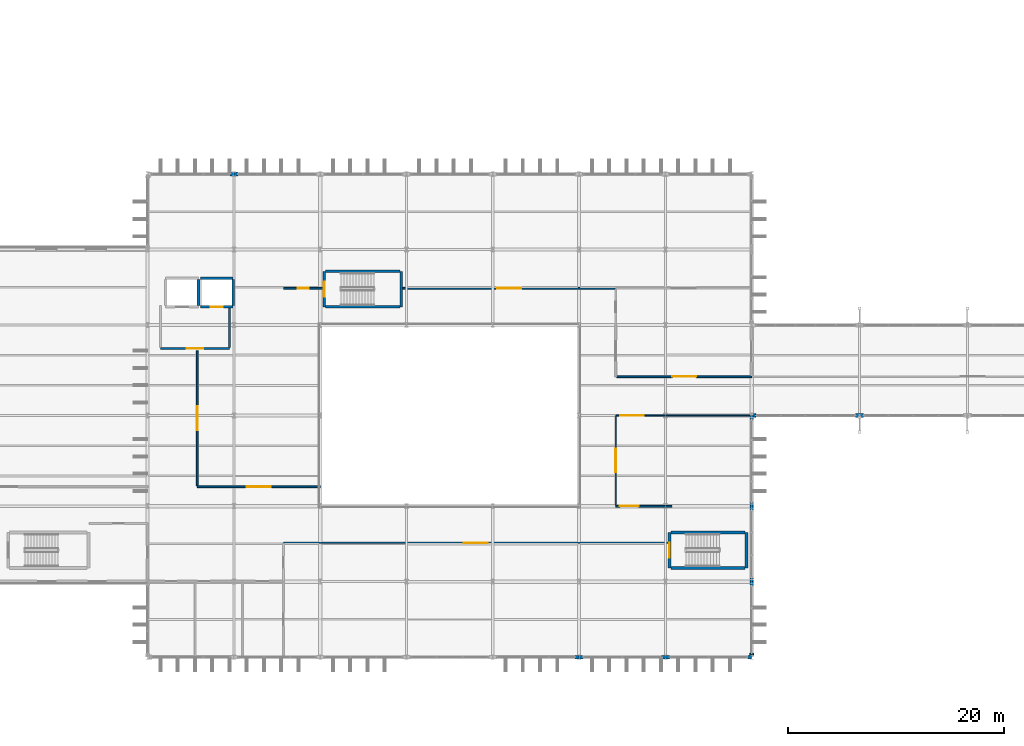
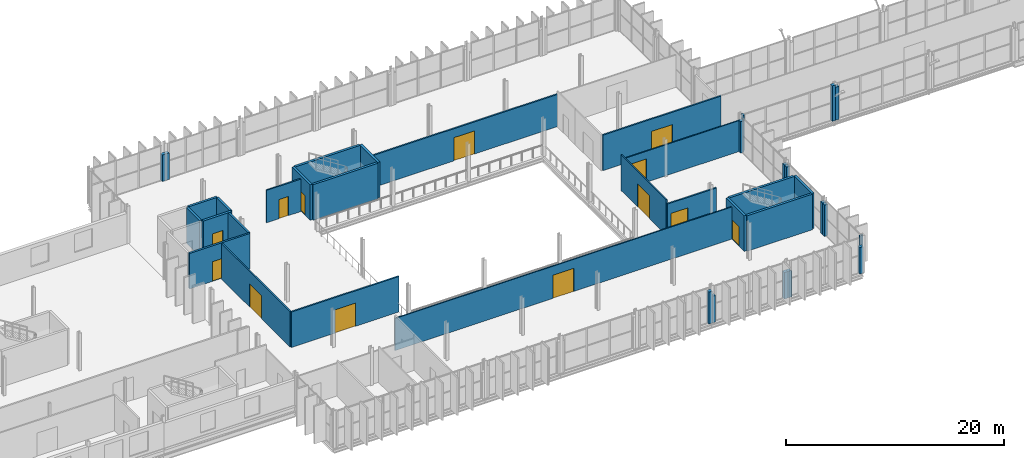
# One storey, part 82 of 101: 39 walls, 13 doors, 13 openings.
"""IFC4 building model written with IfcOpenShell, lengths in metres."""

from ifc_helpers import new_model, si_unit, direction, frame, frame_2d, origin, place, context, subcontext, project, spatial, rectangle, extrude, material, layer, layer_set, type_object, element, fill, save


model = new_model("IFC4")

# Units and contexts
model_context = context("Model", 3, precision=1e-05, world=origin(), true_north=direction((0.0, 1.0)))
body_context = subcontext(model_context, "Body", "Model", "MODEL_VIEW")
ifc_project = project(units=[si_unit("LENGTHUNIT", "METRE"), si_unit("AREAUNIT", "SQUARE_METRE"), si_unit("VOLUMEUNIT", "CUBIC_METRE"), si_unit("PLANEANGLEUNIT", "RADIAN"), si_unit("MASSUNIT", "GRAM", prefix="KILO")], contexts=[model_context])

# Site, building, storey
site_placement = place(None, origin())
site = spatial("IfcSite", under=ifc_project, at=site_placement, CompositionType="ELEMENT")
building_placement = place(site_placement, origin())
building = spatial("IfcBuilding", under=site, at=building_placement, Name="Vekula Escarpment Museum", CompositionType="ELEMENT")
storey_placement = place(building_placement, frame((0.0, 0.0, 18.0)))
storey = spatial("IfcBuildingStorey", under=building, at=storey_placement, Name="L04", CompositionType="ELEMENT", Elevation=18.0)

# Walls
ifc_material_1 = material(Name="Inkisi arkosic sandstone masonry", Category="masonry")
ifc_layer_1 = layer(ifc_material_1, 0.35009765625)
ifc_layer_set_1 = layer_set([ifc_layer_1], Name="Inkisi arkosic sandstone masonry")
wall_type_1 = type_object("IfcWallType", Name="WL-ALM-350", PredefinedType="SOLIDWALL", material=ifc_layer_set_1)
wall_1_placement = place(storey_placement, frame((109.639892578125, 45.60009765625, 0.0), z_axis=(0.0, 0.0, 1.0), x_axis=(1.0, 0.0, 0.0)))
element("IfcWall", 1, at=wall_1_placement, inside=storey, type_object=wall_type_1, Name="Facade Jamb Pier L04-0703B", PredefinedType="SOLIDWALL", context=body_context, shape_type="SweptSolid", body=[
    extrude(rectangle(XDim=0.360107421875, YDim=0.35009765625, at=frame_2d((0.18017578125, 0.0))), origin(), (0.0, 0.0, 1.0), 3.574951171875),
])
for number, where, z_axis, x_axis, name in (
    (2, (110.0, 45.60009765625, 0.0), (0.0, 0.0, 1.0), (1.0, 0.0, 0.0), "Facade Jamb Pier L04-0704A"),
    (3, (117.639892578125, 45.60009765625, 0.0), (0.0, 0.0, 1.0), (1.0, 0.0, 0.0), "Facade Jamb Pier L04-0705B"),
    (4, (118.0, 45.60009765625, 0.0), (0.0, 0.0, 1.0), (1.0, 0.0, 0.0), "Facade Jamb Pier L04-0706A"),
    (5, (125.639892578125, 45.60009765625, 0.0), (0.0, 0.0, 1.0), (1.0, 0.0, 0.0), "Facade Jamb Pier L04-0707B"),
):
    element("IfcWall", number, at=place(storey_placement, frame(where, z_axis=z_axis, x_axis=x_axis)), inside=storey, type_object=wall_type_1, Name=name, PredefinedType="SOLIDWALL", context=body_context, shape_type="SweptSolid", body=[
        extrude(rectangle(XDim=0.360107421875, YDim=0.35009765625, at=frame_2d((0.18017578125, 0.0))), origin(), (0.0, 0.0, 1.0), 2.965087890625),
    ])
wall_2_placement = place(storey_placement, frame((126.0, 45.779052734375, 0.0), z_axis=(0.0, 0.0, 1.0), x_axis=(0.0, 1.0, 0.0)))
element("IfcWall", 6, at=wall_2_placement, inside=storey, type_object=wall_type_1, Name="Facade Jamb Pier L04-0708A", PredefinedType="SOLIDWALL", context=body_context, shape_type="SweptSolid", body=[
    extrude(rectangle(XDim=0.180908203125, YDim=0.35009765625, at=frame_2d((0.09033203125, 0.0))), origin(), (0.0, 0.0, 1.0), 3.97998046875),
])
wall_3_placement = place(storey_placement, frame((126.0, 52.239990234375, 0.0), z_axis=(0.0, 0.0, 1.0), x_axis=(0.0, 1.0, 0.0)))
element("IfcWall", 7, at=wall_3_placement, inside=storey, type_object=wall_type_1, Name="Facade Jamb Pier L04-0709B", PredefinedType="SOLIDWALL", context=body_context, shape_type="SweptSolid", body=[
    extrude(rectangle(XDim=0.360107421875, YDim=0.35009765625, at=frame_2d((0.18017578125, 0.0))), origin(), (0.0, 0.0, 1.0), 3.52490234375),
])
wall_4_placement = place(storey_placement, frame((126.0, 52.60009765625, 0.0), z_axis=(0.0, 0.0, 1.0), x_axis=(0.0, 1.0, 0.0)))
element("IfcWall", 8, at=wall_4_placement, inside=storey, type_object=wall_type_1, Name="Facade Jamb Pier L04-0710A", PredefinedType="SOLIDWALL", context=body_context, shape_type="SweptSolid", body=[
    extrude(rectangle(XDim=0.35986328125, YDim=0.35009765625, at=frame_2d((0.179931640625, 0.0))), origin(), (0.0, 0.0, 1.0), 3.52490234375),
])
wall_5_placement = place(storey_placement, frame((126.0, 59.239990234375, 0.0), z_axis=(0.0, 0.0, 1.0), x_axis=(0.0, 1.0, 0.0)))
element("IfcWall", 9, at=wall_5_placement, inside=storey, type_object=wall_type_1, Name="Facade Jamb Pier L04-0711B", PredefinedType="SOLIDWALL", context=body_context, shape_type="SweptSolid", body=[
    extrude(rectangle(XDim=0.360107421875, YDim=0.35009765625, at=frame_2d((0.18017578125, 0.0))), origin(), (0.0, 0.0, 1.0), 3.52490234375),
])
wall_6_placement = place(storey_placement, frame((126.0, 59.60009765625, 0.0), z_axis=(0.0, 0.0, 1.0), x_axis=(0.0, 1.0, 0.0)))
element("IfcWall", 10, at=wall_6_placement, inside=storey, type_object=wall_type_1, Name="Facade Jamb Pier L04-0712A", PredefinedType="SOLIDWALL", context=body_context, shape_type="SweptSolid", body=[
    extrude(rectangle(XDim=0.35986328125, YDim=0.35009765625, at=frame_2d((0.179931640625, 0.0))), origin(), (0.0, 0.0, 1.0), 3.52490234375),
])
wall_7_placement = place(storey_placement, frame((126.0, 67.639892578125, 0.0), z_axis=(0.0, 0.0, 1.0), x_axis=(0.0, 1.0, 0.0)))
element("IfcWall", 11, at=wall_7_placement, inside=storey, type_object=wall_type_1, Name="Facade Jamb Pier L04-0713B", PredefinedType="SOLIDWALL", context=body_context, shape_type="SweptSolid", body=[
    extrude(rectangle(XDim=0.360107421875, YDim=0.35009765625, at=frame_2d((0.18017578125, 0.0))), origin(), (0.0, 0.0, 1.0), 3.52490234375),
])
wall_8_placement = place(storey_placement, frame((126.178955078125, 68.0, 0.0), z_axis=(0.0, 0.0, 1.0), x_axis=(1.0, 0.0, 0.0)))
element("IfcWall", 12, at=wall_8_placement, inside=storey, type_object=wall_type_1, Name="Facade Jamb Pier L04-0714A", PredefinedType="SOLIDWALL", context=body_context, shape_type="SweptSolid", body=[
    extrude(rectangle(XDim=0.18115234375, YDim=0.35009765625, at=frame_2d((0.090576171875, 0.0))), origin(), (0.0, 0.0, 1.0), 3.97998046875),
])
wall_9_placement = place(storey_placement, frame((135.639892578125, 68.0, 0.0), z_axis=(0.0, 0.0, 1.0), x_axis=(1.0, 0.0, 0.0)))
element("IfcWall", 13, at=wall_9_placement, inside=storey, type_object=wall_type_1, Name="Facade Jamb Pier L04-0715B", PredefinedType="SOLIDWALL", context=body_context, shape_type="SweptSolid", body=[
    extrude(rectangle(XDim=0.360107421875, YDim=0.35009765625, at=frame_2d((0.18017578125, 0.0))), origin(), (0.0, 0.0, 1.0), 3.97998046875),
])
wall_10_placement = place(storey_placement, frame((136.0, 68.0, 0.0), z_axis=(0.0, 0.0, 1.0), x_axis=(1.0, 0.0, 0.0)))
element("IfcWall", 14, at=wall_10_placement, inside=storey, type_object=wall_type_1, Name="Facade Jamb Pier L04-0716A", PredefinedType="SOLIDWALL", context=body_context, shape_type="SweptSolid", body=[
    extrude(rectangle(XDim=0.360107421875, YDim=0.35009765625, at=frame_2d((0.18017578125, 0.0))), origin(), (0.0, 0.0, 1.0), 3.705078125),
])
for number, where, z_axis, x_axis, name in (
    (15, (78.360107421875, 90.39990234375, 0.0), (0.0, 0.0, 1.0), (-1.0, 0.0, 0.0), "Facade Jamb Pier L04-0772B"),
    (16, (78.0, 90.39990234375, 0.0), (0.0, 0.0, 1.0), (-1.0, 0.0, 0.0), "Facade Jamb Pier L04-0773A"),
):
    element("IfcWall", number, at=place(storey_placement, frame(where, z_axis=z_axis, x_axis=x_axis)), inside=storey, type_object=wall_type_1, Name=name, PredefinedType="SOLIDWALL", context=body_context, shape_type="SweptSolid", body=[
        extrude(rectangle(XDim=0.360107421875, YDim=0.35009765625, at=frame_2d((0.18017578125, 0.0))), origin(), (0.0, 0.0, 1.0), 2.965087890625),
    ])

# Wall, opening, door
ifc_material_2 = material(Name="Concrete C35/45", Category="concrete")
ifc_layer_2 = layer(ifc_material_2, 0.25)
ifc_layer_set_2 = layer_set([ifc_layer_2], Name="Concrete C35/45")
wall_type_2 = type_object("IfcWallType", Name="WL-CORE-250", PredefinedType="SHEAR", material=ifc_layer_set_2)
wall_11_placement = place(storey_placement, frame((118.375, 53.875, 0.0), z_axis=(0.0, 0.0, 1.0), x_axis=(0.0, 1.0, 0.0)))
wall_11 = element("IfcWall", 17, at=wall_11_placement, inside=storey, type_object=wall_type_2, Name="Stair Core Wall ST-08 L04 W", PredefinedType="SHEAR", context=body_context, shape_type="SweptSolid", body=[
    extrude(rectangle(XDim=3.2900390625, YDim=0.25, at=frame_2d((1.64501953125, 0.0))), origin(), (0.0, 0.0, 1.0), 3.97998046875),
])
opening_1_placement = place(wall_11_placement, frame((0.945068359375, 0.0, 0.0)))
opening_1 = element("IfcOpeningElement", 18, at=opening_1_placement, cuts=wall_11, Name="Opening DR-FD60", PredefinedType="OPENING", context=body_context, shape_type="SweptSolid", body=[
    extrude(rectangle(XDim=1.39990234375, YDim=2.199951171875, at=frame_2d((0.699951171875, 1.10009765625))), frame((0.0, 0.135009765625, 0.0), z_axis=(0.0, -1.0, 0.0), x_axis=(1.0, 0.0, 0.0)), (0.0, 0.0, 1.0), 0.27001953125),
])
ifc_material_3 = material(Name="Fire-rated steel stair door", Category="steel")
door_type_1 = type_object("IfcDoorType", Name="DR-STAIR-1400x2200", OperationType="NOTDEFINED", PredefinedType="DOOR", material=ifc_material_3)
door_1_placement = place(opening_1_placement, origin())
door_1 = element("IfcDoor", 19, at=door_1_placement, inside=storey, type_object=door_type_1, Name="Protected Exit Stair Door ST-08 L04", OperationType="SINGLE_SWING_RIGHT", OverallHeight=2.199951171875, OverallWidth=1.39990234375, PredefinedType="DOOR", context=body_context, shape_type="SweptSolid", body=[
    extrude(rectangle(XDim=1.39990234375, YDim=2.199951171875, at=frame_2d((0.699951171875, 1.10009765625))), frame((0.0, 0.02490234375, 0.0), z_axis=(0.0, -1.0, 0.0), x_axis=(1.0, 0.0, 0.0)), (0.0, 0.0, 1.0), 0.050048828125),
])
fill(opening_1, door_1)

# Walls
wall_12_placement = place(storey_placement, frame((125.52490234375, 53.875, 0.0), z_axis=(0.0, 0.0, 1.0), x_axis=(0.0, 1.0, 0.0)))
element("IfcWall", 20, at=wall_12_placement, inside=storey, type_object=wall_type_2, Name="Stair Core Wall ST-08 L04 E", PredefinedType="SHEAR", context=body_context, shape_type="SweptSolid", body=[
    extrude(rectangle(XDim=3.2900390625, YDim=0.25, at=frame_2d((1.64501953125, 0.0))), origin(), (0.0, 0.0, 1.0), 3.97998046875),
])
for number, where, z_axis, x_axis, name in (
    (21, (118.50390625, 53.875, 0.0), (0.0, 0.0, 1.0), (1.0, 0.0, 0.0), "Stair Core Wall ST-08 L04 S"),
    (22, (118.50390625, 57.1650390625, 0.0), (0.0, 0.0, 1.0), (1.0, 0.0, 0.0), "Stair Core Wall ST-08 L04 N"),
):
    element("IfcWall", number, at=place(storey_placement, frame(where, z_axis=z_axis, x_axis=x_axis)), inside=storey, type_object=wall_type_2, Name=name, PredefinedType="SHEAR", context=body_context, shape_type="SweptSolid", body=[
        extrude(rectangle(XDim=6.89208984375, YDim=0.25, at=frame_2d((3.446044921875, 0.0))), origin(), (0.0, 0.0, 1.0), 3.97998046875),
    ])

# Wall, opening, door
wall_13_placement = place(storey_placement, frame((86.375, 78.074951171875, 0.0), z_axis=(0.0, 0.0, 1.0), x_axis=(0.0, 1.0, 0.0)))
wall_13 = element("IfcWall", 23, at=wall_13_placement, inside=storey, type_object=wall_type_2, Name="Stair Core Wall ST-09 L04 W", PredefinedType="SHEAR", context=body_context, shape_type="SweptSolid", body=[
    extrude(rectangle(XDim=3.2900390625, YDim=0.25, at=frame_2d((1.64501953125, 0.0))), origin(), (0.0, 0.0, 1.0), 3.97998046875),
])
opening_2_placement = place(wall_13_placement, frame((0.945068359375, 0.0, 0.0)))
opening_2 = element("IfcOpeningElement", 24, at=opening_2_placement, cuts=wall_13, Name="Opening DR-FD60", PredefinedType="OPENING", context=body_context, shape_type="SweptSolid", body=[
    extrude(rectangle(XDim=1.39990234375, YDim=2.199951171875, at=frame_2d((0.699951171875, 1.10009765625))), frame((0.0, 0.135009765625, 0.0), z_axis=(0.0, -1.0, 0.0), x_axis=(1.0, 0.0, 0.0)), (0.0, 0.0, 1.0), 0.27001953125),
])
door_2_placement = place(opening_2_placement, origin())
door_2 = element("IfcDoor", 25, at=door_2_placement, inside=storey, type_object=door_type_1, Name="Protected Exit Stair Door ST-09 L04", OperationType="SINGLE_SWING_LEFT", OverallHeight=2.199951171875, OverallWidth=1.39990234375, PredefinedType="DOOR", context=body_context, shape_type="SweptSolid", body=[
    extrude(rectangle(XDim=1.39990234375, YDim=2.199951171875, at=frame_2d((0.699951171875, 1.10009765625))), frame((0.0, 0.02490234375, 0.0), z_axis=(0.0, -1.0, 0.0), x_axis=(1.0, 0.0, 0.0)), (0.0, 0.0, 1.0), 0.050048828125),
])
fill(opening_2, door_2)

# Walls
wall_14_placement = place(storey_placement, frame((93.52490234375, 78.074951171875, 0.0), z_axis=(0.0, 0.0, 1.0), x_axis=(0.0, 1.0, 0.0)))
element("IfcWall", 26, at=wall_14_placement, inside=storey, type_object=wall_type_2, Name="Stair Core Wall ST-09 L04 E", PredefinedType="SHEAR", context=body_context, shape_type="SweptSolid", body=[
    extrude(rectangle(XDim=3.2900390625, YDim=0.25, at=frame_2d((1.64501953125, 0.0))), origin(), (0.0, 0.0, 1.0), 3.97998046875),
])
for number, where, z_axis, x_axis, name in (
    (27, (86.50390625, 78.074951171875, 0.0), (0.0, 0.0, 1.0), (1.0, 0.0, 0.0), "Stair Core Wall ST-09 L04 S"),
    (28, (86.50390625, 81.364990234375, 0.0), (0.0, 0.0, 1.0), (1.0, 0.0, 0.0), "Stair Core Wall ST-09 L04 N"),
):
    element("IfcWall", number, at=place(storey_placement, frame(where, z_axis=z_axis, x_axis=x_axis)), inside=storey, type_object=wall_type_2, Name=name, PredefinedType="SHEAR", context=body_context, shape_type="SweptSolid", body=[
        extrude(rectangle(XDim=6.89208984375, YDim=0.25, at=frame_2d((3.446044921875, 0.0))), origin(), (0.0, 0.0, 1.0), 3.97998046875),
    ])

# Wall, opening, door
ifc_material_4 = material(Name="Concrete C35/45", Category="concrete")
ifc_layer_3 = layer(ifc_material_4, 0.199951171875)
ifc_layer_set_3 = layer_set([ifc_layer_3], Name="Concrete C35/45")
wall_type_3 = type_object("IfcWallType", Name="WL-FFL-200", PredefinedType="PARTITIONING", material=ifc_layer_set_3)
wall_15_placement = place(storey_placement, frame((71.199951171875, 74.199951171875, 0.0), z_axis=(0.0, 0.0, 1.0), x_axis=(1.0, 0.0, 0.0)))
wall_15 = element("IfcWall", 29, at=wall_15_placement, inside=storey, type_object=wall_type_3, Name="Lift Lobby Wall LP-01 L04 S", PredefinedType="PARTITIONING", context=body_context, shape_type="SweptSolid", body=[
    extrude(rectangle(XDim=6.400146484375, YDim=0.199951171875, at=frame_2d((3.2001953125, 0.0))), origin(), (0.0, 0.0, 1.0), 3.97998046875),
])
opening_3_placement = place(wall_15_placement, frame((2.449951171875, 0.0, 0.0)))
opening_3 = element("IfcOpeningElement", 30, at=opening_3_placement, cuts=wall_15, Name="Opening DR-FD60L", PredefinedType="OPENING", context=body_context, shape_type="SweptSolid", body=[
    extrude(rectangle(XDim=1.5, YDim=2.199951171875, at=frame_2d((0.75, 1.10009765625))), frame((0.0, 0.10986328125, 0.0), z_axis=(0.0, -1.0, 0.0), x_axis=(1.0, 0.0, 0.0)), (0.0, 0.0, 1.0), 0.219970703125),
])
ifc_material_5 = material(Name="Fire-rated glazed lobby door", Category="steel")
door_type_2 = type_object("IfcDoorType", Name="DR-FFLOB-1500x2200", OperationType="NOTDEFINED", PredefinedType="DOOR", material=ifc_material_5)
door_3_placement = place(opening_3_placement, origin())
door_3 = element("IfcDoor", 31, at=door_3_placement, inside=storey, type_object=door_type_2, Name="Lift Lobby Fire Door LP-01 L04", OperationType="SINGLE_SWING_RIGHT", OverallHeight=2.199951171875, OverallWidth=1.5, PredefinedType="DOOR", context=body_context, shape_type="SweptSolid", body=[
    extrude(rectangle(XDim=1.5, YDim=2.199951171875, at=frame_2d((0.75, 1.10009765625))), frame((0.0, 0.02490234375, 0.0), z_axis=(0.0, -1.0, 0.0), x_axis=(1.0, 0.0, 0.0)), (0.0, 0.0, 1.0), 0.050048828125),
])
fill(opening_3, door_3)

# Wall
wall_16_placement = place(storey_placement, frame((77.60009765625, 74.303955078125, 0.0), z_axis=(0.0, 0.0, 1.0), x_axis=(0.0, 1.0, 0.0)))
element("IfcWall", 32, at=wall_16_placement, inside=storey, type_object=wall_type_3, Name="Lift Lobby Wall LP-01 L04 E", PredefinedType="PARTITIONING", context=body_context, shape_type="SweptSolid", body=[
    extrude(rectangle(XDim=3.652099609375, YDim=0.199951171875, at=frame_2d((1.826171875, 0.0))), origin(), (0.0, 0.0, 1.0), 3.97998046875),
])

# Wall, opening, door
ifc_material_6 = material(Name="Lightweight studio partition", Category="gypsum")
ifc_layer_4 = layer(ifc_material_6, 0.1201171875)
ifc_layer_set_4 = layer_set([ifc_layer_4], Name="Lightweight studio partition")
wall_type_4 = type_object("IfcWallType", Name="WL-PART-120", PredefinedType="PARTITIONING", material=ifc_layer_set_4)
wall_17_placement = place(storey_placement, frame((82.60009765625, 56.199951171875, 0.0), z_axis=(0.0, 0.0, 1.0), x_axis=(1.0, 0.0, 0.0)))
wall_17 = element("IfcWall", 33, at=wall_17_placement, inside=storey, type_object=wall_type_4, Name="Interior Partition WL-INT-L04-0024", PredefinedType="PARTITIONING", context=body_context, shape_type="SweptSolid", body=[
    extrude(rectangle(XDim=35.64599609375, YDim=0.1201171875, at=frame_2d((17.822998046875, 0.0))), origin(), (0.0, 0.0, 1.0), 3.60498046875),
])
opening_4_placement = place(wall_17_placement, frame((16.722900390625, 0.0, 0.0)))
opening_4 = element("IfcOpeningElement", 34, at=opening_4_placement, cuts=wall_17, Name="Opening DR-GL22", PredefinedType="OPENING", context=body_context, shape_type="SweptSolid", body=[
    extrude(rectangle(XDim=2.199951171875, YDim=2.60009765625, at=frame_2d((1.10009765625, 1.300048828125))), frame((0.0, 0.070068359375, 0.0), z_axis=(0.0, -1.0, 0.0), x_axis=(1.0, 0.0, 0.0)), (0.0, 0.0, 1.0), 0.14013671875),
])
ifc_material_7 = material(Name="Double acoustic timber gallery door", Category="wood")
door_type_3 = type_object("IfcDoorType", Name="DR-GAL-2200x2600", OperationType="NOTDEFINED", PredefinedType="DOOR", material=ifc_material_7)
door_4_placement = place(opening_4_placement, origin())
door_4 = element("IfcDoor", 35, at=door_4_placement, inside=storey, type_object=door_type_3, Name="Interior Door L04-022", OperationType="SINGLE_SWING_RIGHT", OverallHeight=2.60009765625, OverallWidth=2.199951171875, PredefinedType="DOOR", context=body_context, shape_type="SweptSolid", body=[
    extrude(rectangle(XDim=2.199951171875, YDim=2.60009765625, at=frame_2d((1.10009765625, 1.300048828125))), frame((0.0, 0.02490234375, 0.0), z_axis=(0.0, -1.0, 0.0), x_axis=(1.0, 0.0, 0.0)), (0.0, 0.0, 1.0), 0.050048828125),
])
fill(opening_4, door_4)

wall_18_placement = place(storey_placement, frame((113.39990234375, 59.68408203125, 0.0), z_axis=(0.0, 0.0, 1.0), x_axis=(0.0, 1.0, 0.0)))
wall_18 = element("IfcWall", 36, at=wall_18_placement, inside=storey, type_object=wall_type_4, Name="Interior Partition WL-INT-L04-0027", PredefinedType="PARTITIONING", context=body_context, shape_type="SweptSolid", body=[
    extrude(rectangle(XDim=8.31591796875, YDim=0.1201171875, at=frame_2d((4.157958984375, 0.0))), origin(), (0.0, 0.0, 1.0), 3.97998046875),
])
opening_5_placement = place(wall_18_placement, frame((3.05810546875, 0.0, 0.0)))
opening_5 = element("IfcOpeningElement", 37, at=opening_5_placement, cuts=wall_18, Name="Opening DR-GL22", PredefinedType="OPENING", context=body_context, shape_type="SweptSolid", body=[
    extrude(rectangle(XDim=2.199951171875, YDim=2.60009765625, at=frame_2d((1.10009765625, 1.300048828125))), frame((0.0, 0.070068359375, 0.0), z_axis=(0.0, -1.0, 0.0), x_axis=(1.0, 0.0, 0.0)), (0.0, 0.0, 1.0), 0.14013671875),
])
door_5_placement = place(opening_5_placement, origin())
door_5 = element("IfcDoor", 38, at=door_5_placement, inside=storey, type_object=door_type_3, Name="Interior Door L04-025", OperationType="SINGLE_SWING_LEFT", OverallHeight=2.60009765625, OverallWidth=2.199951171875, PredefinedType="DOOR", context=body_context, shape_type="SweptSolid", body=[
    extrude(rectangle(XDim=2.199951171875, YDim=2.60009765625, at=frame_2d((1.10009765625, 1.300048828125))), frame((0.0, 0.02490234375, 0.0), z_axis=(0.0, -1.0, 0.0), x_axis=(1.0, 0.0, 0.0)), (0.0, 0.0, 1.0), 0.050048828125),
])
fill(opening_5, door_5)

wall_19_placement = place(storey_placement, frame((113.464111328125, 68.0, 0.0), z_axis=(0.0, 0.0, 1.0), x_axis=(1.0, 0.0, 0.0)))
wall_19 = element("IfcWall", 39, at=wall_19_placement, inside=storey, type_object=wall_type_4, Name="Interior Partition WL-INT-L04-0036", PredefinedType="PARTITIONING", context=body_context, shape_type="SweptSolid", body=[
    extrude(rectangle(XDim=12.35693359375, YDim=0.1201171875, at=frame_2d((6.178466796875, 0.0))), origin(), (0.0, 0.0, 1.0), 3.465087890625),
])
opening_6_placement = place(wall_19_placement, frame((0.35009765625, 0.0, 0.0)))
opening_6 = element("IfcOpeningElement", 40, at=opening_6_placement, cuts=wall_19, Name="Opening DR-GL22", PredefinedType="OPENING", context=body_context, shape_type="SweptSolid", body=[
    extrude(rectangle(XDim=2.199951171875, YDim=2.60009765625, at=frame_2d((1.10009765625, 1.300048828125))), frame((0.0, 0.070068359375, 0.0), z_axis=(0.0, -1.0, 0.0), x_axis=(1.0, 0.0, 0.0)), (0.0, 0.0, 1.0), 0.14013671875),
])
door_6_placement = place(opening_6_placement, origin())
door_6 = element("IfcDoor", 41, at=door_6_placement, inside=storey, type_object=door_type_3, Name="Interior Door L04-034", OperationType="SINGLE_SWING_RIGHT", OverallHeight=2.60009765625, OverallWidth=2.199951171875, PredefinedType="DOOR", context=body_context, shape_type="SweptSolid", body=[
    extrude(rectangle(XDim=2.199951171875, YDim=2.60009765625, at=frame_2d((1.10009765625, 1.300048828125))), frame((0.0, 0.02490234375, 0.0), z_axis=(0.0, -1.0, 0.0), x_axis=(1.0, 0.0, 0.0)), (0.0, 0.0, 1.0), 0.050048828125),
])
fill(opening_6, door_6)

ifc_material_8 = material(Name="Gypsum board dry-lined partition", Category="gypsum")
ifc_layer_5 = layer(ifc_material_8, 0.14990234375)
ifc_layer_set_5 = layer_set([ifc_layer_5], Name="Gypsum board dry-lined partition")
wall_type_5 = type_object("IfcWallType", Name="WL-PART-150", PredefinedType="PARTITIONING", material=ifc_layer_set_5)
wall_20_placement = place(storey_placement, frame((74.60009765625, 61.48388671875, 0.0), z_axis=(0.0, 0.0, 1.0), x_axis=(0.0, 1.0, 0.0)))
wall_20 = element("IfcWall", 42, at=wall_20_placement, inside=storey, type_object=wall_type_5, Name="Interior Partition WL-INT-L04-0023", PredefinedType="PARTITIONING", context=body_context, shape_type="SweptSolid", body=[
    extrude(rectangle(XDim=12.51611328125, YDim=0.14990234375, at=frame_2d((6.258056640625, 0.0))), origin(), (0.0, 0.0, 1.0), 3.97998046875),
])
opening_7_placement = place(wall_20_placement, frame((5.157958984375, 0.0, 0.0)))
opening_7 = element("IfcOpeningElement", 43, at=opening_7_placement, cuts=wall_20, Name="Opening DR-GL22", PredefinedType="OPENING", context=body_context, shape_type="SweptSolid", body=[
    extrude(rectangle(XDim=2.199951171875, YDim=2.60009765625, at=frame_2d((1.10009765625, 1.300048828125))), frame((0.0, 0.0849609375, 0.0), z_axis=(0.0, -1.0, 0.0), x_axis=(1.0, 0.0, 0.0)), (0.0, 0.0, 1.0), 0.169921875),
])
door_7_placement = place(opening_7_placement, origin())
door_7 = element("IfcDoor", 44, at=door_7_placement, inside=storey, type_object=door_type_3, Name="Interior Door L04-021", OperationType="SINGLE_SWING_LEFT", OverallHeight=2.60009765625, OverallWidth=2.199951171875, PredefinedType="DOOR", context=body_context, shape_type="SweptSolid", body=[
    extrude(rectangle(XDim=2.199951171875, YDim=2.60009765625, at=frame_2d((1.10009765625, 1.300048828125))), frame((0.0, 0.02490234375, 0.0), z_axis=(0.0, -1.0, 0.0), x_axis=(1.0, 0.0, 0.0)), (0.0, 0.0, 1.0), 0.050048828125),
])
fill(opening_7, door_7)

wall_21_placement = place(storey_placement, frame((82.60009765625, 79.800048828125, 0.0), z_axis=(0.0, 0.0, 1.0), x_axis=(1.0, 0.0, 0.0)))
wall_21 = element("IfcWall", 45, at=wall_21_placement, inside=storey, type_object=wall_type_5, Name="Interior Partition WL-INT-L04-0029", PredefinedType="PARTITIONING", context=body_context, shape_type="SweptSolid", body=[
    extrude(rectangle(XDim=3.64599609375, YDim=0.14990234375, at=frame_2d((1.822998046875, 0.0))), origin(), (0.0, 0.0, 1.0), 3.635009765625),
])
opening_8_placement = place(wall_21_placement, frame((1.322998046875, 0.0, 0.0)))
opening_8 = element("IfcOpeningElement", 46, at=opening_8_placement, cuts=wall_21, Name="Opening DR-OF10", PredefinedType="OPENING", context=body_context, shape_type="SweptSolid", body=[
    extrude(rectangle(XDim=1.0, YDim=2.14990234375, at=frame_2d((0.5, 1.074951171875))), frame((0.0, 0.0849609375, 0.0), z_axis=(0.0, -1.0, 0.0), x_axis=(1.0, 0.0, 0.0)), (0.0, 0.0, 1.0), 0.169921875),
])
ifc_material_9 = material(Name="Solid core timber study door", Category="wood")
door_type_4 = type_object("IfcDoorType", Name="DR-OFF-1000x2150", OperationType="NOTDEFINED", PredefinedType="DOOR", material=ifc_material_9)
door_8_placement = place(opening_8_placement, origin())
door_8 = element("IfcDoor", 47, at=door_8_placement, inside=storey, type_object=door_type_4, Name="Interior Door L04-027", OperationType="SINGLE_SWING_LEFT", OverallHeight=2.14990234375, OverallWidth=1.0, PredefinedType="DOOR", context=body_context, shape_type="SweptSolid", body=[
    extrude(rectangle(XDim=1.0, YDim=2.14990234375, at=frame_2d((0.5, 1.074951171875))), frame((0.0, 0.02490234375, 0.0), z_axis=(0.0, -1.0, 0.0), x_axis=(1.0, 0.0, 0.0)), (0.0, 0.0, 1.0), 0.050048828125),
])
fill(opening_8, door_8)

ifc_material_10 = material(Name="Gypsum board gallery partition", Category="gypsum")
ifc_layer_6 = layer(ifc_material_10, 0.159912109375)
ifc_layer_set_6 = layer_set([ifc_layer_6], Name="Gypsum board gallery partition")
wall_type_6 = type_object("IfcWallType", Name="WL-PART-160", PredefinedType="PARTITIONING", material=ifc_layer_set_6)
wall_22_placement = place(storey_placement, frame((74.60009765625, 61.39990234375, 0.0), z_axis=(0.0, 0.0, 1.0), x_axis=(1.0, 0.0, 0.0)))
wall_22 = element("IfcWall", 48, at=wall_22_placement, inside=storey, type_object=wall_type_6, Name="Interior Partition WL-INT-L04-0022", PredefinedType="PARTITIONING", context=body_context, shape_type="SweptSolid", body=[
    extrude(rectangle(XDim=11.39990234375, YDim=0.159912109375, at=frame_2d((5.699951171875, 0.0))), origin(), (0.0, 0.0, 1.0), 3.97998046875),
])
opening_9_placement = place(wall_22_placement, frame((4.60009765625, 0.0, 0.0)))
opening_9 = element("IfcOpeningElement", 49, at=opening_9_placement, cuts=wall_22, Name="Opening DR-GL22", PredefinedType="OPENING", context=body_context, shape_type="SweptSolid", body=[
    extrude(rectangle(XDim=2.199951171875, YDim=2.60009765625, at=frame_2d((1.10009765625, 1.300048828125))), frame((0.0, 0.08984375, 0.0), z_axis=(0.0, -1.0, 0.0), x_axis=(1.0, 0.0, 0.0)), (0.0, 0.0, 1.0), 0.179931640625),
])
door_9_placement = place(opening_9_placement, origin())
door_9 = element("IfcDoor", 50, at=door_9_placement, inside=storey, type_object=door_type_3, Name="Interior Door L04-020", OperationType="SINGLE_SWING_RIGHT", OverallHeight=2.60009765625, OverallWidth=2.199951171875, PredefinedType="DOOR", context=body_context, shape_type="SweptSolid", body=[
    extrude(rectangle(XDim=2.199951171875, YDim=2.60009765625, at=frame_2d((1.10009765625, 1.300048828125))), frame((0.0, 0.02490234375, 0.0), z_axis=(0.0, -1.0, 0.0), x_axis=(1.0, 0.0, 0.0)), (0.0, 0.0, 1.0), 0.050048828125),
])
fill(opening_9, door_9)

wall_23_placement = place(storey_placement, frame((113.39990234375, 59.60009765625, 0.0), z_axis=(0.0, 0.0, 1.0), x_axis=(1.0, 0.0, 0.0)))
wall_23 = element("IfcWall", 51, at=wall_23_placement, inside=storey, type_object=wall_type_6, Name="Interior Partition WL-INT-L04-0025", PredefinedType="PARTITIONING", context=body_context, shape_type="SweptSolid", body=[
    extrude(rectangle(XDim=5.2001953125, YDim=0.159912109375, at=frame_2d((2.60009765625, 0.0))), origin(), (0.0, 0.0, 1.0), 3.574951171875),
])
opening_10_placement = place(wall_23_placement, frame((0.35009765625, 0.0, 0.0)))
opening_10 = element("IfcOpeningElement", 52, at=opening_10_placement, cuts=wall_23, Name="Opening DR-GL18", PredefinedType="OPENING", context=body_context, shape_type="SweptSolid", body=[
    extrude(rectangle(XDim=1.800048828125, YDim=2.39990234375, at=frame_2d((0.89990234375, 1.199951171875))), frame((0.0, 0.08984375, 0.0), z_axis=(0.0, -1.0, 0.0), x_axis=(1.0, 0.0, 0.0)), (0.0, 0.0, 1.0), 0.179931640625),
])
ifc_material_11 = material(Name="Double glazed gallery portal door", Category="steel")
door_type_5 = type_object("IfcDoorType", Name="DR-GAL-1800x2400", OperationType="NOTDEFINED", PredefinedType="DOOR", material=ifc_material_11)
door_10_placement = place(opening_10_placement, origin())
door_10 = element("IfcDoor", 53, at=door_10_placement, inside=storey, type_object=door_type_5, Name="Interior Door L04-023", OperationType="SINGLE_SWING_LEFT", OverallHeight=2.39990234375, OverallWidth=1.800048828125, PredefinedType="DOOR", context=body_context, shape_type="SweptSolid", body=[
    extrude(rectangle(XDim=1.800048828125, YDim=2.39990234375, at=frame_2d((0.89990234375, 1.199951171875))), frame((0.0, 0.02490234375, 0.0), z_axis=(0.0, -1.0, 0.0), x_axis=(1.0, 0.0, 0.0)), (0.0, 0.0, 1.0), 0.050048828125),
])
fill(opening_10, door_10)

wall_24_placement = place(storey_placement, frame((93.654052734375, 79.800048828125, 0.0), z_axis=(0.0, 0.0, 1.0), x_axis=(1.0, 0.0, 0.0)))
wall_24 = element("IfcWall", 54, at=wall_24_placement, inside=storey, type_object=wall_type_6, Name="Interior Partition WL-INT-L04-0028", PredefinedType="PARTITIONING", context=body_context, shape_type="SweptSolid", body=[
    extrude(rectangle(XDim=19.745849609375, YDim=0.159912109375, at=frame_2d((9.873046875, 0.0))), origin(), (0.0, 0.0, 1.0), 3.60498046875),
])
opening_11_placement = place(wall_24_placement, frame((8.77294921875, 0.0, 0.0)))
opening_11 = element("IfcOpeningElement", 55, at=opening_11_placement, cuts=wall_24, Name="Opening DR-GL22", PredefinedType="OPENING", context=body_context, shape_type="SweptSolid", body=[
    extrude(rectangle(XDim=2.199951171875, YDim=2.60009765625, at=frame_2d((1.10009765625, 1.300048828125))), frame((0.0, 0.08984375, 0.0), z_axis=(0.0, -1.0, 0.0), x_axis=(1.0, 0.0, 0.0)), (0.0, 0.0, 1.0), 0.179931640625),
])
door_11_placement = place(opening_11_placement, origin())
door_11 = element("IfcDoor", 56, at=door_11_placement, inside=storey, type_object=door_type_3, Name="Interior Door L04-026", OperationType="SINGLE_SWING_RIGHT", OverallHeight=2.60009765625, OverallWidth=2.199951171875, PredefinedType="DOOR", context=body_context, shape_type="SweptSolid", body=[
    extrude(rectangle(XDim=2.199951171875, YDim=2.60009765625, at=frame_2d((1.10009765625, 1.300048828125))), frame((0.0, 0.02490234375, 0.0), z_axis=(0.0, -1.0, 0.0), x_axis=(1.0, 0.0, 0.0)), (0.0, 0.0, 1.0), 0.050048828125),
])
fill(opening_11, door_11)

wall_25_placement = place(storey_placement, frame((113.47900390625, 71.60009765625, 0.0), z_axis=(0.0, 0.0, 1.0), x_axis=(1.0, 0.0, 0.0)))
wall_25 = element("IfcWall", 57, at=wall_25_placement, inside=storey, type_object=wall_type_6, Name="Interior Partition WL-INT-L04-0034", PredefinedType="PARTITIONING", context=body_context, shape_type="SweptSolid", body=[
    extrude(rectangle(XDim=12.52099609375, YDim=0.159912109375, at=frame_2d((6.260498046875, 0.0))), origin(), (0.0, 0.0, 1.0), 3.97998046875),
])
opening_12_placement = place(wall_25_placement, frame((5.160400390625, 0.0, 0.0)))
opening_12 = element("IfcOpeningElement", 58, at=opening_12_placement, cuts=wall_25, Name="Opening DR-GL22", PredefinedType="OPENING", context=body_context, shape_type="SweptSolid", body=[
    extrude(rectangle(XDim=2.199951171875, YDim=2.60009765625, at=frame_2d((1.10009765625, 1.300048828125))), frame((0.0, 0.08984375, 0.0), z_axis=(0.0, -1.0, 0.0), x_axis=(1.0, 0.0, 0.0)), (0.0, 0.0, 1.0), 0.179931640625),
])
door_12_placement = place(opening_12_placement, origin())
door_12 = element("IfcDoor", 59, at=door_12_placement, inside=storey, type_object=door_type_3, Name="Interior Door L04-032", OperationType="SINGLE_SWING_RIGHT", OverallHeight=2.60009765625, OverallWidth=2.199951171875, PredefinedType="DOOR", context=body_context, shape_type="SweptSolid", body=[
    extrude(rectangle(XDim=2.199951171875, YDim=2.60009765625, at=frame_2d((1.10009765625, 1.300048828125))), frame((0.0, 0.02490234375, 0.0), z_axis=(0.0, -1.0, 0.0), x_axis=(1.0, 0.0, 0.0)), (0.0, 0.0, 1.0), 0.050048828125),
])
fill(opening_12, door_12)

# Wall
ifc_material_12 = material(Name="Concrete C35/45", Category="concrete")
ifc_layer_7 = layer(ifc_material_12, 0.239990234375)
ifc_layer_set_7 = layer_set([ifc_layer_7], Name="Concrete C35/45")
wall_type_7 = type_object("IfcWallType", Name="WL-SHF-240", PredefinedType="SHEAR", material=ifc_layer_set_7)
wall_26_placement = place(storey_placement, frame((74.719970703125, 78.2041015625, 0.0), z_axis=(0.0, 0.0, 1.0), x_axis=(0.0, 1.0, 0.0)))
element("IfcWall", 60, at=wall_26_placement, inside=storey, type_object=wall_type_7, Name="Lift Shaft Wall LP-01 L04 E", PredefinedType="SHEAR", context=body_context, shape_type="SweptSolid", body=[
    extrude(rectangle(XDim=2.391845703125, YDim=0.239990234375, at=frame_2d((1.19580078125, 0.0))), origin(), (0.0, 0.0, 1.0), 3.97998046875),
])

# Wall, opening, door
wall_27_placement = place(storey_placement, frame((74.8798828125, 78.080078125, 0.0), z_axis=(0.0, 0.0, 1.0), x_axis=(1.0, 0.0, 0.0)))
wall_27 = element("IfcWall", 61, at=wall_27_placement, inside=storey, type_object=wall_type_7, Name="Lift Shaft Wall LP-02 L04 S", PredefinedType="SHEAR", context=body_context, shape_type="SweptSolid", body=[
    extrude(rectangle(XDim=3.0400390625, YDim=0.239990234375, at=frame_2d((1.52001953125, 0.0))), origin(), (0.0, 0.0, 1.0), 3.97998046875),
])
opening_13_placement = place(wall_27_placement, frame((0.969970703125, 0.0, 0.0)))
opening_13 = element("IfcOpeningElement", 62, at=opening_13_placement, cuts=wall_27, Name="Opening LD-PAX", PredefinedType="OPENING", context=body_context, shape_type="SweptSolid", body=[
    extrude(rectangle(XDim=1.10009765625, YDim=2.199951171875, at=frame_2d((0.550048828125, 1.10009765625))), frame((0.0, 0.1298828125, 0.0), z_axis=(0.0, -1.0, 0.0), x_axis=(1.0, 0.0, 0.0)), (0.0, 0.0, 1.0), 0.260009765625),
])
ifc_material_13 = material(Name="Brushed stainless steel sliding lift landing door", Category="steel")
door_type_6 = type_object("IfcDoorType", Name="DR-LD-PAX-1100", OperationType="DOUBLE_DOOR_SLIDING", PredefinedType="DOOR", material=ifc_material_13)
door_13_placement = place(opening_13_placement, origin())
door_13 = element("IfcDoor", 63, at=door_13_placement, inside=storey, type_object=door_type_6, Name="Sliding Lift Landing Door LP-02 L04", OperationType="DOUBLE_DOOR_SLIDING", OverallHeight=2.199951171875, OverallWidth=1.10009765625, PredefinedType="DOOR", context=body_context, shape_type="SweptSolid", body=[
    extrude(rectangle(XDim=1.10009765625, YDim=2.199951171875, at=frame_2d((0.550048828125, 1.10009765625))), frame((0.0, 0.02490234375, 0.0), z_axis=(0.0, -1.0, 0.0), x_axis=(1.0, 0.0, 0.0)), (0.0, 0.0, 1.0), 0.050048828125),
])
fill(opening_13, door_13)

# Walls
wall_28_placement = place(storey_placement, frame((74.8798828125, 80.719970703125, 0.0), z_axis=(0.0, 0.0, 1.0), x_axis=(1.0, 0.0, 0.0)))
element("IfcWall", 64, at=wall_28_placement, inside=storey, type_object=wall_type_7, Name="Lift Shaft Wall LP-02 L04 N", PredefinedType="SHEAR", context=body_context, shape_type="SweptSolid", body=[
    extrude(rectangle(XDim=3.0400390625, YDim=0.239990234375, at=frame_2d((1.52001953125, 0.0))), origin(), (0.0, 0.0, 1.0), 3.97998046875),
])
wall_29_placement = place(storey_placement, frame((77.919921875, 78.2041015625, 0.0), z_axis=(0.0, 0.0, 1.0), x_axis=(0.0, 1.0, 0.0)))
element("IfcWall", 65, at=wall_29_placement, inside=storey, type_object=wall_type_7, Name="Lift Shaft Wall LP-02 L04 E", PredefinedType="SHEAR", context=body_context, shape_type="SweptSolid", body=[
    extrude(rectangle(XDim=2.391845703125, YDim=0.239990234375, at=frame_2d((1.19580078125, 0.0))), origin(), (0.0, 0.0, 1.0), 3.97998046875),
])

save(model, "model.ifc")
